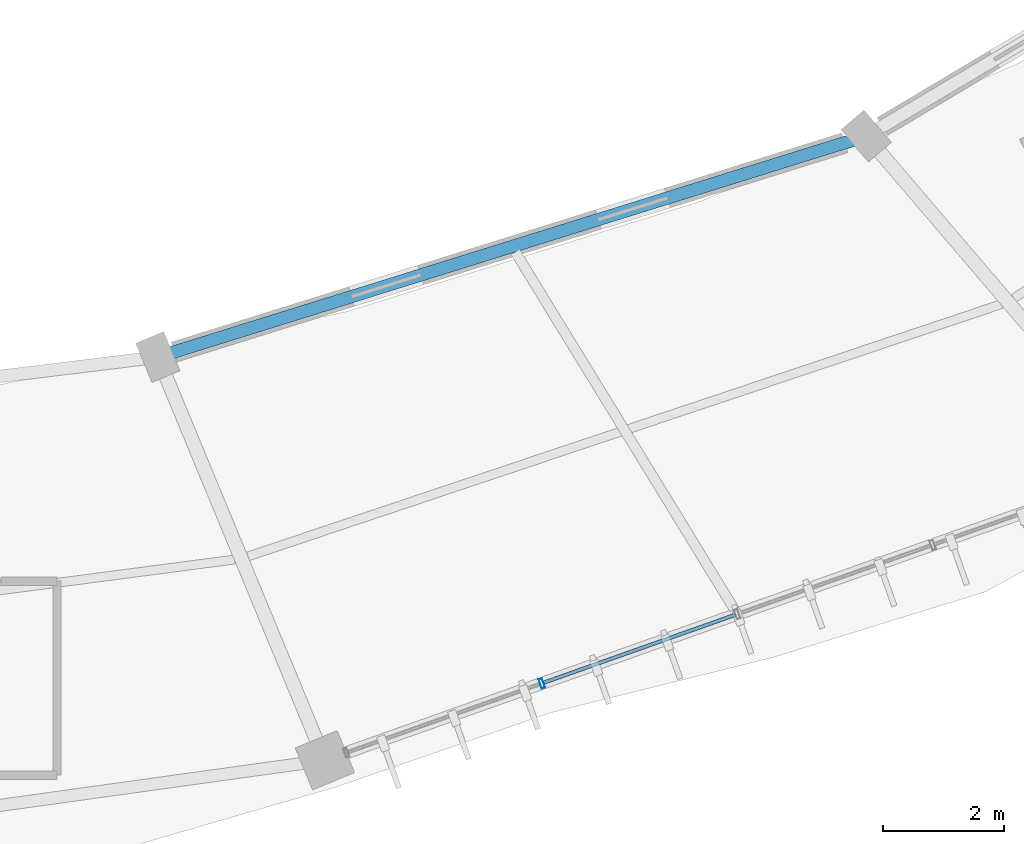
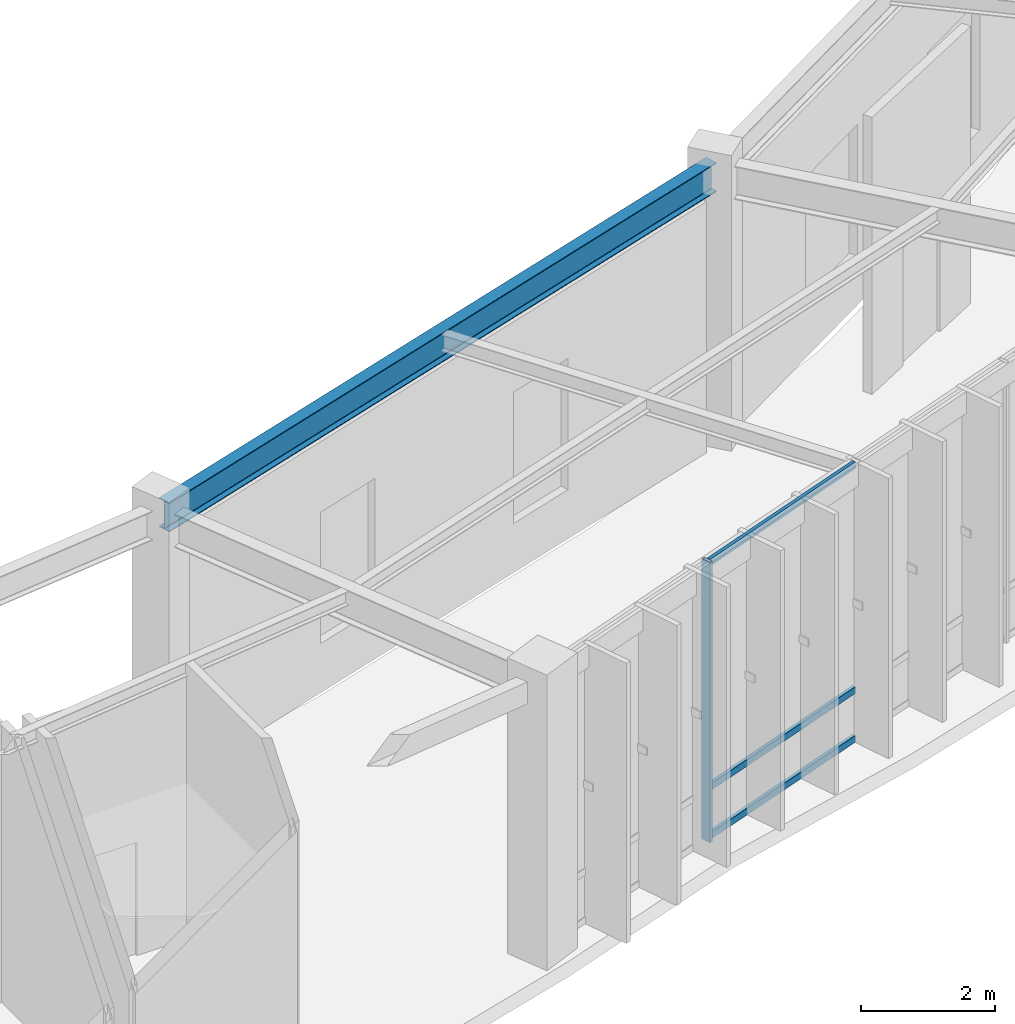
# One storey, part 61 of 157: 4 members, 1 beam, 1 element without a shape of its own.
"""IFC4 building model written with IfcOpenShell, lengths in metres."""

from ifc_helpers import new_model, si_unit, direction, frame, origin, origin_2d, place, context, subcontext, project, spatial, hollow_rectangle, i_section, extrude, material, material_profile, profile_set, type_object, element, aggregate, save


model = new_model("IFC4")

# Units and contexts
model_context = context("Model", 3, precision=1e-05, world=origin(), true_north=direction((0.0, 1.0)))
body_context = subcontext(model_context, "Body", "Model", "MODEL_VIEW")
ifc_project = project(units=[si_unit("LENGTHUNIT", "METRE"), si_unit("AREAUNIT", "SQUARE_METRE"), si_unit("VOLUMEUNIT", "CUBIC_METRE"), si_unit("PLANEANGLEUNIT", "RADIAN"), si_unit("MASSUNIT", "GRAM", prefix="KILO"), si_unit("THERMODYNAMICTEMPERATUREUNIT", "KELVIN"), si_unit("POWERUNIT", "WATT")], contexts=[model_context])

# Site, building, storey
site_placement = place(None, origin())
site = spatial("IfcSite", under=ifc_project, at=site_placement, CompositionType="ELEMENT")
building_placement = place(site_placement, origin())
building = spatial("IfcBuilding", under=site, at=building_placement, Name="Darbajah Civic Hall", CompositionType="ELEMENT")
storey_placement = place(building_placement, origin())
storey = spatial("IfcBuildingStorey", under=building, at=storey_placement, Name="L00", CompositionType="ELEMENT", Elevation=0.0)

# Curtain wall, members
ifc_material_1 = material(Name="Anodised Bronze Aluminium and Low-E Glazing", Category="aluminium")
curtain_wall_type = type_object("IfcCurtainWallType", Name="Unitised Curtain Wall CW-15 13700x5100", PredefinedType="USERDEFINED", material=ifc_material_1)
curtain_wall_placement = place(storey_placement, origin())
curtain_wall = element("IfcCurtainWall", 1, at=curtain_wall_placement, inside=storey, type_object=curtain_wall_type, Name="L00 unitised curtain wall CW-V1O-L00-16", ObjectType="UNITISED CURTAIN WALL", PredefinedType="USERDEFINED")
ifc_material_2 = material(Name="Anodised Bronze Aluminium", Category="aluminium")
ifc_material_profile_1 = material_profile(ifc_material_2, hollow_rectangle(XDim=0.06005859375, YDim=0.159912109375, WallThickness=0.00341796875, at=origin_2d()), Name="ALU MULLION 60x160")
ifc_profile_set_1 = profile_set([ifc_material_profile_1], Name="Anodised Bronze Aluminium")
member_type_1 = type_object("IfcMemberType", Name="ALU MULLION 60x160", PredefinedType="MULLION", material=ifc_profile_set_1)
member_1_placement = place(storey_placement, frame((112.19580078125, 63.814208984375, 0.0), z_axis=(0.0, 0.0, 1.0), x_axis=(0.94252491309, 0.334135882844, 0.0)))
member_1 = element("IfcMember", 2, at=member_1_placement, type_object=member_type_1, Name="CW-V1O-L00-16 mullion 2", PredefinedType="MULLION", context=body_context, shape_type="SweptSolid", body=[
    extrude(hollow_rectangle(XDim=0.06005859375, YDim=0.159912109375, WallThickness=0.00341796875, at=origin_2d()), origin(), (0.0, 0.0, 1.0), 5.1201171875),
])
ifc_material_profile_2 = material_profile(ifc_material_2, hollow_rectangle(XDim=0.06005859375, YDim=0.1201171875, WallThickness=0.003173828125, at=origin_2d()), Name="ALU TRANSOM 60x120")
ifc_profile_set_2 = profile_set([ifc_material_profile_2], Name="Anodised Bronze Aluminium")
member_type_2 = type_object("IfcMemberType", Name="ALU TRANSOM 60x120", PredefinedType="USERDEFINED", material=ifc_profile_set_2)
member_2_placement = place(storey_placement, frame((112.228759765625, 63.825927734375, 0.06005859375), z_axis=(0.942553625563, 0.334054880128, 0.0), x_axis=(-0.334054880128, 0.942553625563, 0.0)))
member_2 = element("IfcMember", 3, at=member_2_placement, type_object=member_type_2, Name="CW-V1O-L00-16 transom 2.1", ObjectType="TRANSOM", PredefinedType="USERDEFINED", context=body_context, shape_type="SweptSolid", body=[
    extrude(hollow_rectangle(XDim=0.06005859375, YDim=0.1201171875, WallThickness=0.003173828125, at=origin_2d()), origin(), (0.0, 0.0, 1.0), 3.35009765625),
])
member_3_placement = place(storey_placement, frame((112.228759765625, 63.825927734375, 0.949951171875), z_axis=(0.942553625563, 0.334054880128, 0.0), x_axis=(-0.334054880128, 0.942553625563, 0.0)))
member_3 = element("IfcMember", 4, at=member_3_placement, type_object=member_type_2, Name="CW-V1O-L00-16 transom 2.2", ObjectType="TRANSOM", PredefinedType="USERDEFINED", context=body_context, shape_type="SweptSolid", body=[
    extrude(hollow_rectangle(XDim=0.06005859375, YDim=0.1201171875, WallThickness=0.003173828125, at=origin_2d()), origin(), (0.0, 0.0, 1.0), 3.35009765625),
])
member_4_placement = place(storey_placement, frame((112.228759765625, 63.825927734375, 5.06005859375), z_axis=(0.942553625563, 0.334054880128, 0.0), x_axis=(-0.334054880128, 0.942553625563, 0.0)))
member_4 = element("IfcMember", 5, at=member_4_placement, type_object=member_type_2, Name="CW-V1O-L00-16 transom 2.3", ObjectType="TRANSOM", PredefinedType="USERDEFINED", context=body_context, shape_type="SweptSolid", body=[
    extrude(hollow_rectangle(XDim=0.06005859375, YDim=0.1201171875, WallThickness=0.003173828125, at=origin_2d()), origin(), (0.0, 0.0, 1.0), 3.35009765625),
])
aggregate(curtain_wall, [member_1, member_2, member_3, member_4])

# Beam
ifc_material_3 = material(Name="Steel S355JR", Category="steel")
ifc_material_profile_3 = material_profile(ifc_material_3, i_section(OverallWidth=0.209228515625, OverallDepth=0.533203125, WebThickness=0.010009765625, FlangeThickness=0.015625, FilletRadius=0.0126953125, at=origin_2d()), Name="UB 533x210x92")
ifc_profile_set_3 = profile_set([ifc_material_profile_3], Name="Steel S355JR")
beam_type = type_object("IfcBeamType", Name="UB 533x210x92", PredefinedType="BEAM", material=ifc_profile_set_3)
beam_placement = place(storey_placement, frame((105.93798828125, 69.22119140625, 4.853515625), z_axis=(0.954614020433, 0.297845718441, 0.0), x_axis=(-0.297845718441, 0.954614020433, 0.0)))
element("IfcBeam", 6, at=beam_placement, inside=storey, type_object=beam_type, Name="L00 beam SB-533", PredefinedType="BEAM", context=body_context, shape_type="SweptSolid", body=[
    extrude(i_section(OverallWidth=0.209228515625, OverallDepth=0.533203125, WebThickness=0.010009765625, FlangeThickness=0.015625, FilletRadius=0.0126953125, at=origin_2d()), origin(), (0.0, 0.0, 1.0), 12.079833984375),
])

save(model, "model.ifc")
